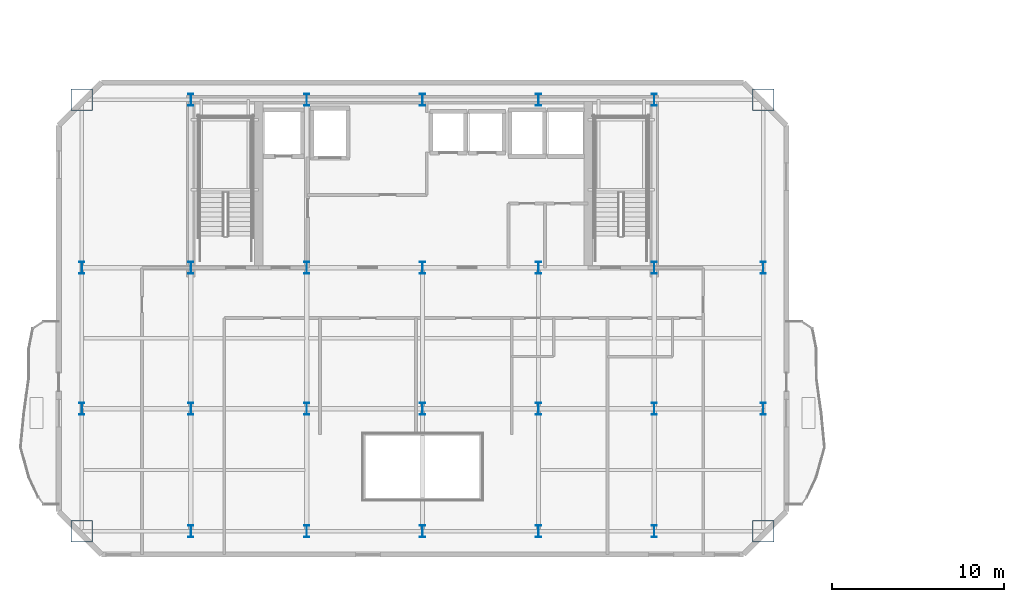
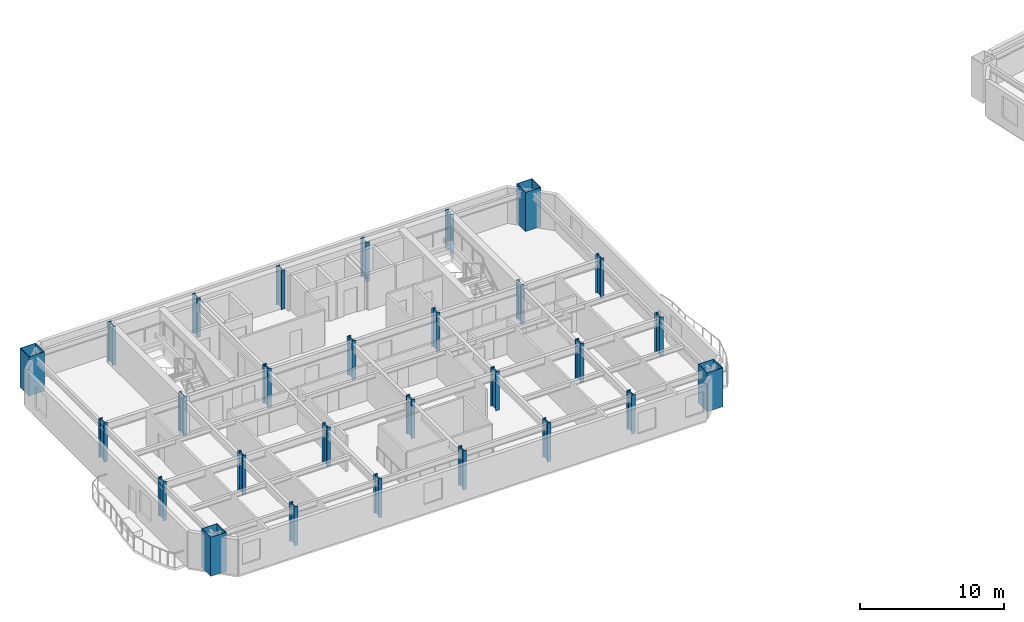
# One storey, part 1 of 13: 28 columns.
"""IFC4 building model written with IfcOpenShell, lengths in metres."""

import ifcopenshell
import ifcopenshell.guid

model = None  # the IFC model being written
_history = None  # IfcOwnerHistory: only IFC2X3 demands one
_inside = {}  # id of a spatial element -> (the spatial element, [elements in it])
_under = {}  # id of a project, library or spatial element -> (it, [spatial elements below it])
_declared = {}  # id of a project -> (the project, [libraries it declares])
_typed = {}  # id of a type object -> (the type object, [elements of that type])
_made_of = {}  # id of a material, layer set ... -> (it, [elements and type objects made of it])


def new_model(schema):
    """Start an empty IFC model of exactly this schema.

    Asked for "IFC4X3", IfcOpenShell would pick the latest addendum, in which some entities
    have other attributes; the version numbers below select the first issue.
    IFC2X3 requires an IfcOwnerHistory on every rooted entity: one is made here for all.
    """
    global model, _history
    if schema == "IFC4X3":
        model = ifcopenshell.file(schema_version=(4, 3, 0, 0))
    else:
        model = ifcopenshell.file(schema=schema)
    _inside.clear()
    _under.clear()
    _declared.clear()
    _typed.clear()
    _made_of.clear()
    _history = None
    if model.schema == "IFC2X3":
        org = make("IfcOrganization", Name="unknown")
        user = make(
            "IfcPersonAndOrganization",
            ThePerson=make("IfcPerson", FamilyName="unknown"),
            TheOrganization=org,
        )
        app = make(
            "IfcApplication",
            ApplicationDeveloper=org,
            Version="unknown",
            ApplicationFullName="unknown",
            ApplicationIdentifier="unknown",
        )
        _history = make(
            "IfcOwnerHistory",
            OwningUser=user,
            OwningApplication=app,
            ChangeAction="ADDED",
            CreationDate=0,
        )
    return model


def make(cls, **values):
    """One entity of the class cls with the attributes given. An attribute that is None is left unset."""
    return model.create_entity(
        cls, **{name: value for name, value in values.items() if value is not None}
    )


def rooted(cls, **values):
    """An entity with a GlobalId (a new one), such as an element, a storey or a relation."""
    return make(cls, GlobalId=ifcopenshell.guid.new(), OwnerHistory=_history, **values)


def si_unit(unit_type, name, prefix=None):
    """IfcSIUnit, for example si_unit("LENGTHUNIT", "METRE", prefix="MILLI")."""
    return make("IfcSIUnit", UnitType=unit_type, Prefix=prefix, Name=name)


def assignment(units):
    """IfcUnitAssignment: the units of a project."""
    return None if units is None else make("IfcUnitAssignment", Units=units)


def point(xyz):
    """IfcCartesianPoint."""
    return None if xyz is None else make("IfcCartesianPoint", Coordinates=xyz)


def direction(xyz):
    """IfcDirection."""
    return None if xyz is None else make("IfcDirection", DirectionRatios=xyz)


def frame(location, z_axis=None, x_axis=None):
    """IfcAxis2Placement3D, a coordinate frame: its origin and axes. An axis left out is left unset."""
    return make(
        "IfcAxis2Placement3D",
        Location=point(location),
        Axis=direction(z_axis),
        RefDirection=direction(x_axis),
    )


def frame_2d(location, x_axis=None):
    """IfcAxis2Placement2D, a coordinate frame in the plane: its origin and x axis."""
    return make(
        "IfcAxis2Placement2D", Location=point(location), RefDirection=direction(x_axis)
    )


def origin():
    """The frame at (0, 0, 0) with its axes left unset."""
    return frame((0.0, 0.0, 0.0))


def origin_2d():
    """The frame at (0, 0) in the plane with its x axis left unset."""
    return frame_2d((0.0, 0.0))


def place(relative_to, where):
    """IfcLocalPlacement: puts the frame where relative to a parent placement (None: the world)."""
    return make(
        "IfcLocalPlacement", PlacementRelTo=relative_to, RelativePlacement=where
    )


def context(
    kind, dimensions, precision=None, world=None, true_north=None, identifier=None
):
    """IfcGeometricRepresentationContext, for example the 3D "Model" context."""
    return make(
        "IfcGeometricRepresentationContext",
        ContextIdentifier=identifier,
        ContextType=kind,
        CoordinateSpaceDimension=dimensions,
        Precision=precision,
        WorldCoordinateSystem=world,
        TrueNorth=true_north,
    )


def subcontext(parent, identifier, kind, view, scale=None):
    """IfcGeometricRepresentationSubContext, for example "Body" below "Model"."""
    return make(
        "IfcGeometricRepresentationSubContext",
        ContextIdentifier=identifier,
        ContextType=kind,
        ParentContext=parent,
        TargetScale=scale,
        TargetView=view,
    )


def project(units=None, contexts=None):
    """IfcProject with its units and contexts."""
    return rooted(
        "IfcProject",
        Name="project",
        RepresentationContexts=contexts,
        UnitsInContext=assignment(units),
    )


def spatial(cls, under=None, at=None, **own):
    """A site, building, storey or space (cls), placed at a placement, below another one or the project."""
    s = rooted(cls, ObjectPlacement=at, **own)
    if under is not None:
        _under.setdefault(under.id(), (under, []))[1].append(s)
    return s


def profile(cls, at=None, kind="AREA", **sizes):
    """A parametric profile (cls). Its sizes go by their IFC names, for example OverallWidth=200.0."""
    return make(cls, ProfileType=kind, Position=at, **sizes)


def hollow_rectangle(**sizes):
    """IfcRectangleHollowProfileDef."""
    return profile("IfcRectangleHollowProfileDef", **sizes)


def i_section(**sizes):
    """IfcIShapeProfileDef."""
    return profile("IfcIShapeProfileDef", **sizes)


def extrude(swept, where, along, depth):
    """IfcExtrudedAreaSolid: the profile swept, set in the frame where, extruded along a direction by depth."""
    return make(
        "IfcExtrudedAreaSolid",
        SweptArea=swept,
        Position=where,
        ExtrudedDirection=direction(along),
        Depth=depth,
    )


def shape(context_of_items, identifier, shape_type, items):
    """IfcShapeRepresentation: the items that make up one representation, for example the "Body"."""
    return make(
        "IfcShapeRepresentation",
        ContextOfItems=context_of_items,
        RepresentationIdentifier=identifier,
        RepresentationType=shape_type,
        Items=items,
    )


def material(Name=None, Category=None):
    """IfcMaterial."""
    return make("IfcMaterial", Name=Name, Category=Category)


def material_profile(
    of_material, cross_section, Name=None, Category=None, Priority=None
):
    """IfcMaterialProfile: a cross section and its material."""
    return make(
        "IfcMaterialProfile",
        Name=Name,
        Material=of_material,
        Profile=cross_section,
        Priority=Priority,
        Category=Category,
    )


def profile_set(profiles, Name=None, composite=None):
    """IfcMaterialProfileSet."""
    return make(
        "IfcMaterialProfileSet",
        Name=Name,
        MaterialProfiles=profiles,
        CompositeProfile=composite,
    )


def made_of(thing, what):
    """Note that an element or type object is made of a material, layer set ...; save() writes the relation."""
    if what is not None:
        _made_of.setdefault(what.id(), (what, []))[1].append(thing)
    return thing


def type_object(cls, material=None, **own):
    """A type object (cls), such as IfcWallType, which elements share."""
    return made_of(rooted(cls, **own), material)


def element(
    cls,
    number,
    at=None,
    inside=None,
    cuts=None,
    type_object=None,
    material=None,
    context=None,
    identifier="Body",
    shape_type=None,
    held_by="IfcProductDefinitionShape",
    body=None,
    shapes=None,
    **own,
):
    """One element of the class cls, such as IfcWall. Its Tag is "e" and its number.

    at: its placement. inside: the storey or other place that contains it. cuts: it is an
    opening in that element (IfcRelVoidsElement). A single representation is given by context,
    identifier, shape_type and body (its items); several are given by shapes. held_by: the class
    of the entity that holds the representations. save() writes the other relations.
    """
    e = rooted(cls, Tag="e%d" % number, ObjectPlacement=at, **own)
    if body is not None:
        shapes = [shape(context, identifier, shape_type, body)]
    if shapes is not None:
        e.Representation = make(held_by, Representations=shapes)
    if inside is not None:
        _inside.setdefault(inside.id(), (inside, []))[1].append(e)
    if cuts is not None:
        rooted(
            "IfcRelVoidsElement", RelatingBuildingElement=cuts, RelatedOpeningElement=e
        )
    if type_object is not None:
        _typed.setdefault(type_object.id(), (type_object, []))[1].append(e)
    return made_of(e, material)


def aggregate(whole, parts):
    """IfcRelAggregates: a whole, such as a stair, and the parts it consists of."""
    return rooted("IfcRelAggregates", RelatingObject=whole, RelatedObjects=parts)


def save(model, path):
    """Write the relations noted so far, then the file.

    IfcRelAggregates (storeys below a building ...), IfcRelContainedInSpatialStructure (elements
    in a storey), IfcRelDefinesByType, IfcRelAssociatesMaterial and IfcRelDeclares: one each for
    every whole, place, type object, material and project.
    """
    for whole, parts in _under.values():
        aggregate(whole, parts)
    for where, things in _inside.values():
        rooted(
            "IfcRelContainedInSpatialStructure",
            RelatedElements=things,
            RelatingStructure=where,
        )
    for kind, things in _typed.values():
        rooted("IfcRelDefinesByType", RelatedObjects=things, RelatingType=kind)
    for what, things in _made_of.values():
        rooted("IfcRelAssociatesMaterial", RelatedObjects=things, RelatingMaterial=what)
    for by, libraries in _declared.values():
        rooted("IfcRelDeclares", RelatingContext=by, RelatedDefinitions=libraries)
    model.write(path)


model = new_model("IFC4")

# Units and contexts
model_context = context("Model", 3, precision=1e-05, world=origin(), true_north=direction((0.0, 1.0)))
body_context = subcontext(model_context, "Body", "Model", "MODEL_VIEW")
ifc_project = project(units=[si_unit("LENGTHUNIT", "METRE"), si_unit("AREAUNIT", "SQUARE_METRE"), si_unit("VOLUMEUNIT", "CUBIC_METRE"), si_unit("PLANEANGLEUNIT", "RADIAN"), si_unit("MASSUNIT", "GRAM", prefix="KILO")], contexts=[model_context])

# Site, building, storey
site_placement = place(None, origin())
site = spatial("IfcSite", under=ifc_project, at=site_placement, CompositionType="ELEMENT")
building_placement = place(site_placement, origin())
building = spatial("IfcBuilding", under=site, at=building_placement, Name="Haevon Station Towers", CompositionType="ELEMENT")
storey_placement = place(building_placement, frame((0.0, 0.0, 149.39990234375)))
storey = spatial("IfcBuildingStorey", under=building, at=storey_placement, Name="L40", CompositionType="ELEMENT", Elevation=149.39990234375)

# Columns
ifc_material_1 = material(Name="Steel S460", Category="steel")
ifc_material_profile_1 = material_profile(ifc_material_1, hollow_rectangle(XDim=1.25, YDim=1.25, WallThickness=0.034912109375, at=origin_2d()), Name="BOX-1250x1250x35")
ifc_profile_set_1 = profile_set([ifc_material_profile_1], Name="Steel S460")
column_type_1 = type_object("IfcColumnType", Name="COL-MC4", PredefinedType="COLUMN", material=ifc_profile_set_1)
for number, where, z_axis, x_axis, name in (
    (1, (17.64990234375, 22.85009765625, 0.0), (0.0, 0.0, 1.0), (1.0, 0.0, 0.0), "COL-T1-L40-01-01"),
    (2, (17.64990234375, 48.0, 0.0), (0.0, 0.0, 1.0), (1.0, 0.0, 0.0), "COL-T1-L40-01-04"),
    (3, (57.35009765625, 22.85009765625, 0.0), (0.0, 0.0, 1.0), (1.0, 0.0, 0.0), "COL-T1-L40-07-01"),
    (4, (57.35009765625, 48.0, 0.0), (0.0, 0.0, 1.0), (1.0, 0.0, 0.0), "COL-T1-L40-07-04"),
):
    element("IfcColumn", number, at=place(storey_placement, frame(where, z_axis=z_axis, x_axis=x_axis)), inside=storey, type_object=column_type_1, Name=name, PredefinedType="COLUMN", context=body_context, shape_type="SweptSolid", body=[
        extrude(hollow_rectangle(XDim=1.25, YDim=1.25, WallThickness=0.034912109375, at=origin_2d()), origin(), (0.0, 0.0, 1.0), 3.300048828125),
    ])
ifc_material_2 = material(Name="Steel S355", Category="steel")
ifc_material_profile_2 = material_profile(ifc_material_2, i_section(OverallWidth=0.300048828125, OverallDepth=0.699951171875, WebThickness=0.01611328125, FlangeThickness=0.028076171875, at=origin_2d()), Name="H-700x300x16x28")
ifc_profile_set_2 = profile_set([ifc_material_profile_2], Name="Steel S355")
column_type_2 = type_object("IfcColumnType", Name="COL-TW3", PredefinedType="COLUMN", material=ifc_profile_set_2)
for number, where, z_axis, x_axis, name in (
    (5, (17.64990234375, 30.0, 0.0), (0.0, 0.0, 1.0), (1.0, 0.0, 0.0), "COL-T1-L40-01-02"),
    (6, (17.64990234375, 38.199951171875, 0.0), (0.0, 0.0, 1.0), (1.0, 0.0, 0.0), "COL-T1-L40-01-03"),
    (7, (24.0, 22.85009765625, 0.0), (0.0, 0.0, 1.0), (1.0, 0.0, 0.0), "COL-T1-L40-02-01"),
    (8, (24.0, 30.0, 0.0), (0.0, 0.0, 1.0), (1.0, 0.0, 0.0), "COL-T1-L40-02-02"),
    (9, (24.0, 38.199951171875, 0.0), (0.0, 0.0, 1.0), (1.0, 0.0, 0.0), "COL-T1-L40-02-03"),
    (10, (24.0, 48.0, 0.0), (0.0, 0.0, 1.0), (1.0, 0.0, 0.0), "COL-T1-L40-02-04"),
    (11, (30.75, 22.85009765625, 0.0), (0.0, 0.0, 1.0), (1.0, 0.0, 0.0), "COL-T1-L40-03-01"),
    (12, (30.75, 30.0, 0.0), (0.0, 0.0, 1.0), (1.0, 0.0, 0.0), "COL-T1-L40-03-02"),
    (13, (30.75, 38.199951171875, 0.0), (0.0, 0.0, 1.0), (1.0, 0.0, 0.0), "COL-T1-L40-03-03"),
    (14, (30.75, 48.0, 0.0), (0.0, 0.0, 1.0), (1.0, 0.0, 0.0), "COL-T1-L40-03-04"),
    (15, (37.5, 22.85009765625, 0.0), (0.0, 0.0, 1.0), (1.0, 0.0, 0.0), "COL-T1-L40-04-01"),
    (16, (37.5, 30.0, 0.0), (0.0, 0.0, 1.0), (1.0, 0.0, 0.0), "COL-T1-L40-04-02"),
    (17, (37.5, 38.199951171875, 0.0), (0.0, 0.0, 1.0), (1.0, 0.0, 0.0), "COL-T1-L40-04-03"),
    (18, (37.5, 48.0, 0.0), (0.0, 0.0, 1.0), (1.0, 0.0, 0.0), "COL-T1-L40-04-04"),
    (19, (44.25, 22.85009765625, 0.0), (0.0, 0.0, 1.0), (1.0, 0.0, 0.0), "COL-T1-L40-05-01"),
    (20, (44.25, 30.0, 0.0), (0.0, 0.0, 1.0), (1.0, 0.0, 0.0), "COL-T1-L40-05-02"),
    (21, (44.25, 38.199951171875, 0.0), (0.0, 0.0, 1.0), (1.0, 0.0, 0.0), "COL-T1-L40-05-03"),
    (22, (44.25, 48.0, 0.0), (0.0, 0.0, 1.0), (1.0, 0.0, 0.0), "COL-T1-L40-05-04"),
    (23, (51.0, 22.85009765625, 0.0), (0.0, 0.0, 1.0), (1.0, 0.0, 0.0), "COL-T1-L40-06-01"),
    (24, (51.0, 30.0, 0.0), (0.0, 0.0, 1.0), (1.0, 0.0, 0.0), "COL-T1-L40-06-02"),
    (25, (51.0, 38.199951171875, 0.0), (0.0, 0.0, 1.0), (1.0, 0.0, 0.0), "COL-T1-L40-06-03"),
    (26, (51.0, 48.0, 0.0), (0.0, 0.0, 1.0), (1.0, 0.0, 0.0), "COL-T1-L40-06-04"),
    (27, (57.35009765625, 30.0, 0.0), (0.0, 0.0, 1.0), (1.0, 0.0, 0.0), "COL-T1-L40-07-02"),
    (28, (57.35009765625, 38.199951171875, 0.0), (0.0, 0.0, 1.0), (1.0, 0.0, 0.0), "COL-T1-L40-07-03"),
):
    element("IfcColumn", number, at=place(storey_placement, frame(where, z_axis=z_axis, x_axis=x_axis)), inside=storey, type_object=column_type_2, Name=name, PredefinedType="COLUMN", context=body_context, shape_type="SweptSolid", body=[
        extrude(i_section(OverallWidth=0.300048828125, OverallDepth=0.699951171875, WebThickness=0.01611328125, FlangeThickness=0.028076171875, at=origin_2d()), origin(), (0.0, 0.0, 1.0), 3.300048828125),
    ])

save(model, "model.ifc")
